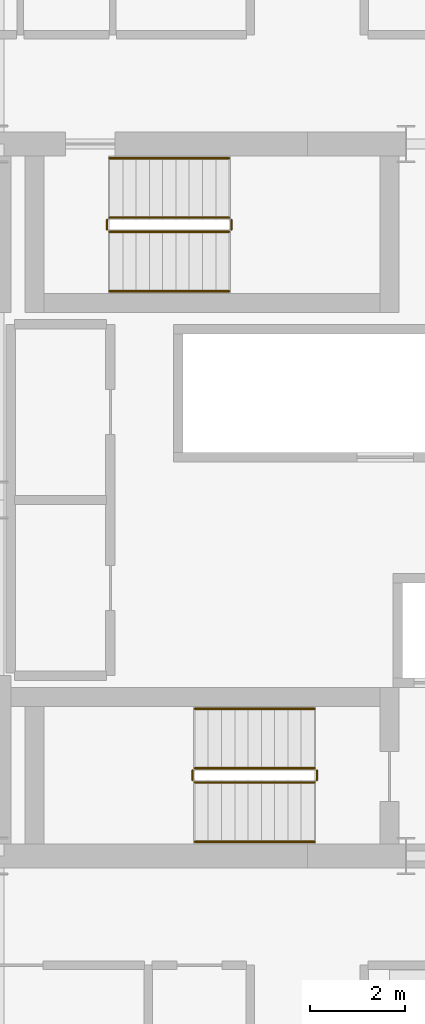
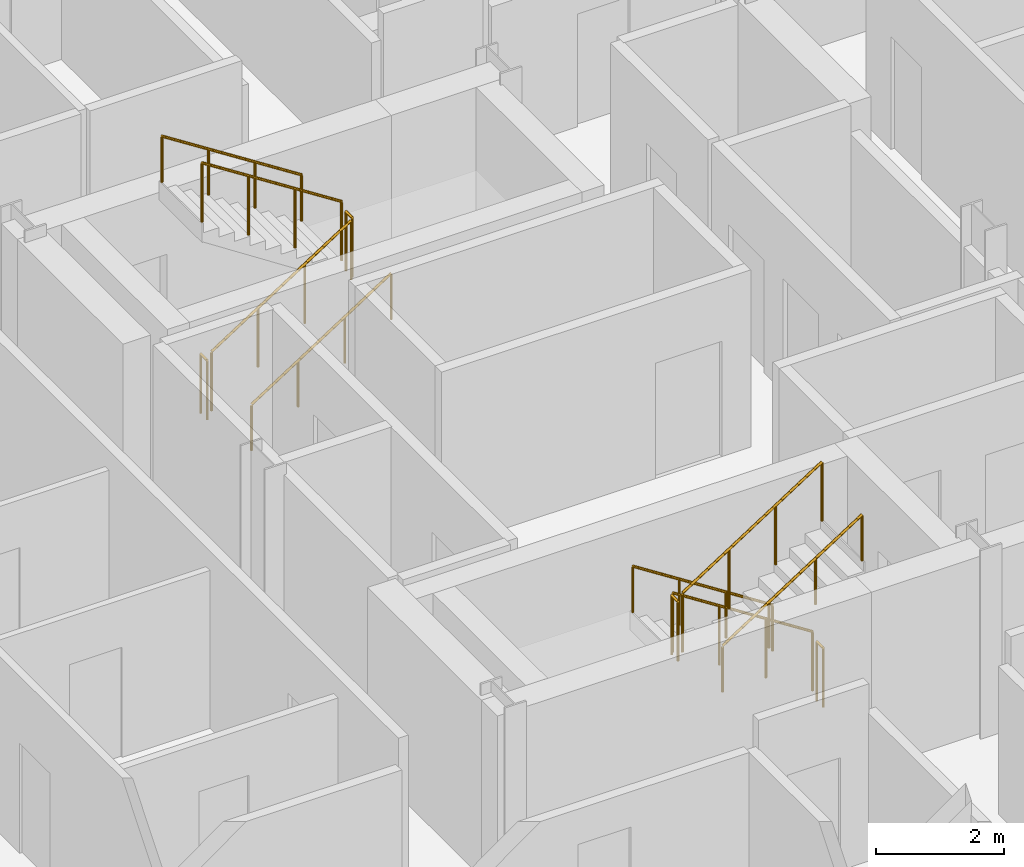
# One storey, part 23 of 24: 12 railings.
"""IFC4 building model written with IfcOpenShell, lengths in metres."""

import ifcopenshell
import ifcopenshell.guid

model = None  # the IFC model being written
_history = None  # IfcOwnerHistory: only IFC2X3 demands one
_inside = {}  # id of a spatial element -> (the spatial element, [elements in it])
_under = {}  # id of a project, library or spatial element -> (it, [spatial elements below it])
_declared = {}  # id of a project -> (the project, [libraries it declares])
_typed = {}  # id of a type object -> (the type object, [elements of that type])
_made_of = {}  # id of a material, layer set ... -> (it, [elements and type objects made of it])


def new_model(schema):
    """Start an empty IFC model of exactly this schema.

    Asked for "IFC4X3", IfcOpenShell would pick the latest addendum, in which some entities
    have other attributes; the version numbers below select the first issue.
    IFC2X3 requires an IfcOwnerHistory on every rooted entity: one is made here for all.
    """
    global model, _history
    if schema == "IFC4X3":
        model = ifcopenshell.file(schema_version=(4, 3, 0, 0))
    else:
        model = ifcopenshell.file(schema=schema)
    _inside.clear()
    _under.clear()
    _declared.clear()
    _typed.clear()
    _made_of.clear()
    _history = None
    if model.schema == "IFC2X3":
        org = make("IfcOrganization", Name="unknown")
        user = make(
            "IfcPersonAndOrganization",
            ThePerson=make("IfcPerson", FamilyName="unknown"),
            TheOrganization=org,
        )
        app = make(
            "IfcApplication",
            ApplicationDeveloper=org,
            Version="unknown",
            ApplicationFullName="unknown",
            ApplicationIdentifier="unknown",
        )
        _history = make(
            "IfcOwnerHistory",
            OwningUser=user,
            OwningApplication=app,
            ChangeAction="ADDED",
            CreationDate=0,
        )
    return model


def make(cls, **values):
    """One entity of the class cls with the attributes given. An attribute that is None is left unset."""
    return model.create_entity(
        cls, **{name: value for name, value in values.items() if value is not None}
    )


def rooted(cls, **values):
    """An entity with a GlobalId (a new one), such as an element, a storey or a relation."""
    return make(cls, GlobalId=ifcopenshell.guid.new(), OwnerHistory=_history, **values)


def si_unit(unit_type, name, prefix=None):
    """IfcSIUnit, for example si_unit("LENGTHUNIT", "METRE", prefix="MILLI")."""
    return make("IfcSIUnit", UnitType=unit_type, Prefix=prefix, Name=name)


def assignment(units):
    """IfcUnitAssignment: the units of a project."""
    return None if units is None else make("IfcUnitAssignment", Units=units)


def point(xyz):
    """IfcCartesianPoint."""
    return None if xyz is None else make("IfcCartesianPoint", Coordinates=xyz)


def direction(xyz):
    """IfcDirection."""
    return None if xyz is None else make("IfcDirection", DirectionRatios=xyz)


def frame(location, z_axis=None, x_axis=None):
    """IfcAxis2Placement3D, a coordinate frame: its origin and axes. An axis left out is left unset."""
    return make(
        "IfcAxis2Placement3D",
        Location=point(location),
        Axis=direction(z_axis),
        RefDirection=direction(x_axis),
    )


def frame_2d(location, x_axis=None):
    """IfcAxis2Placement2D, a coordinate frame in the plane: its origin and x axis."""
    return make(
        "IfcAxis2Placement2D", Location=point(location), RefDirection=direction(x_axis)
    )


def origin():
    """The frame at (0, 0, 0) with its axes left unset."""
    return frame((0.0, 0.0, 0.0))


def origin_2d():
    """The frame at (0, 0) in the plane with its x axis left unset."""
    return frame_2d((0.0, 0.0))


def place(relative_to, where):
    """IfcLocalPlacement: puts the frame where relative to a parent placement (None: the world)."""
    return make(
        "IfcLocalPlacement", PlacementRelTo=relative_to, RelativePlacement=where
    )


def context(
    kind, dimensions, precision=None, world=None, true_north=None, identifier=None
):
    """IfcGeometricRepresentationContext, for example the 3D "Model" context."""
    return make(
        "IfcGeometricRepresentationContext",
        ContextIdentifier=identifier,
        ContextType=kind,
        CoordinateSpaceDimension=dimensions,
        Precision=precision,
        WorldCoordinateSystem=world,
        TrueNorth=true_north,
    )


def subcontext(parent, identifier, kind, view, scale=None):
    """IfcGeometricRepresentationSubContext, for example "Body" below "Model"."""
    return make(
        "IfcGeometricRepresentationSubContext",
        ContextIdentifier=identifier,
        ContextType=kind,
        ParentContext=parent,
        TargetScale=scale,
        TargetView=view,
    )


def project(units=None, contexts=None):
    """IfcProject with its units and contexts."""
    return rooted(
        "IfcProject",
        Name="project",
        RepresentationContexts=contexts,
        UnitsInContext=assignment(units),
    )


def spatial(cls, under=None, at=None, **own):
    """A site, building, storey or space (cls), placed at a placement, below another one or the project."""
    s = rooted(cls, ObjectPlacement=at, **own)
    if under is not None:
        _under.setdefault(under.id(), (under, []))[1].append(s)
    return s


def profile(cls, at=None, kind="AREA", **sizes):
    """A parametric profile (cls). Its sizes go by their IFC names, for example OverallWidth=200.0."""
    return make(cls, ProfileType=kind, Position=at, **sizes)


def circle(**sizes):
    """IfcCircleProfileDef."""
    return profile("IfcCircleProfileDef", **sizes)


def extrude(swept, where, along, depth):
    """IfcExtrudedAreaSolid: the profile swept, set in the frame where, extruded along a direction by depth."""
    return make(
        "IfcExtrudedAreaSolid",
        SweptArea=swept,
        Position=where,
        ExtrudedDirection=direction(along),
        Depth=depth,
    )


def shape(context_of_items, identifier, shape_type, items):
    """IfcShapeRepresentation: the items that make up one representation, for example the "Body"."""
    return make(
        "IfcShapeRepresentation",
        ContextOfItems=context_of_items,
        RepresentationIdentifier=identifier,
        RepresentationType=shape_type,
        Items=items,
    )


def material(Name=None, Category=None):
    """IfcMaterial."""
    return make("IfcMaterial", Name=Name, Category=Category)


def made_of(thing, what):
    """Note that an element or type object is made of a material, layer set ...; save() writes the relation."""
    if what is not None:
        _made_of.setdefault(what.id(), (what, []))[1].append(thing)
    return thing


def type_object(cls, material=None, **own):
    """A type object (cls), such as IfcWallType, which elements share."""
    return made_of(rooted(cls, **own), material)


def element(
    cls,
    number,
    at=None,
    inside=None,
    cuts=None,
    type_object=None,
    material=None,
    context=None,
    identifier="Body",
    shape_type=None,
    held_by="IfcProductDefinitionShape",
    body=None,
    shapes=None,
    **own,
):
    """One element of the class cls, such as IfcWall. Its Tag is "e" and its number.

    at: its placement. inside: the storey or other place that contains it. cuts: it is an
    opening in that element (IfcRelVoidsElement). A single representation is given by context,
    identifier, shape_type and body (its items); several are given by shapes. held_by: the class
    of the entity that holds the representations. save() writes the other relations.
    """
    e = rooted(cls, Tag="e%d" % number, ObjectPlacement=at, **own)
    if body is not None:
        shapes = [shape(context, identifier, shape_type, body)]
    if shapes is not None:
        e.Representation = make(held_by, Representations=shapes)
    if inside is not None:
        _inside.setdefault(inside.id(), (inside, []))[1].append(e)
    if cuts is not None:
        rooted(
            "IfcRelVoidsElement", RelatingBuildingElement=cuts, RelatedOpeningElement=e
        )
    if type_object is not None:
        _typed.setdefault(type_object.id(), (type_object, []))[1].append(e)
    return made_of(e, material)


def aggregate(whole, parts):
    """IfcRelAggregates: a whole, such as a stair, and the parts it consists of."""
    return rooted("IfcRelAggregates", RelatingObject=whole, RelatedObjects=parts)


def save(model, path):
    """Write the relations noted so far, then the file.

    IfcRelAggregates (storeys below a building ...), IfcRelContainedInSpatialStructure (elements
    in a storey), IfcRelDefinesByType, IfcRelAssociatesMaterial and IfcRelDeclares: one each for
    every whole, place, type object, material and project.
    """
    for whole, parts in _under.values():
        aggregate(whole, parts)
    for where, things in _inside.values():
        rooted(
            "IfcRelContainedInSpatialStructure",
            RelatedElements=things,
            RelatingStructure=where,
        )
    for kind, things in _typed.values():
        rooted("IfcRelDefinesByType", RelatedObjects=things, RelatingType=kind)
    for what, things in _made_of.values():
        rooted("IfcRelAssociatesMaterial", RelatedObjects=things, RelatingMaterial=what)
    for by, libraries in _declared.values():
        rooted("IfcRelDeclares", RelatingContext=by, RelatedDefinitions=libraries)
    model.write(path)


model = new_model("IFC4")

# Units and contexts
model_context = context("Model", 3, precision=1e-05, world=origin(), true_north=direction((0.0, 1.0)))
body_context = subcontext(model_context, "Body", "Model", "MODEL_VIEW")
ifc_project = project(units=[si_unit("LENGTHUNIT", "METRE"), si_unit("AREAUNIT", "SQUARE_METRE"), si_unit("VOLUMEUNIT", "CUBIC_METRE"), si_unit("PLANEANGLEUNIT", "RADIAN"), si_unit("MASSUNIT", "GRAM", prefix="KILO")], contexts=[model_context])

# Site, building, storey
site_placement = place(None, origin())
site = spatial("IfcSite", under=ifc_project, at=site_placement, CompositionType="ELEMENT")
building_placement = place(site_placement, origin())
building = spatial("IfcBuilding", under=site, at=building_placement, Name="Barlavira Tower and Art Museum", CompositionType="ELEMENT")
storey_placement = place(building_placement, frame((0.0, 0.0, 183.60009765625)))
storey = spatial("IfcBuildingStorey", under=building, at=storey_placement, Name="L47", CompositionType="ELEMENT", Elevation=183.60009765625)

# Railings
ifc_material = material(Name="Brushed stainless steel", Category="steel")
railing_type_1 = type_object("IfcRailingType", Name="Interior Void and Landing Guard Railing 1150", PredefinedType="GUARDRAIL", material=ifc_material)
railing_1_placement = place(storey_placement, frame((0.14990234375, -5.64990234375, 0.179931640625)))
element("IfcRailing", 1, at=railing_1_placement, inside=storey, type_object=railing_type_1, Name="L47 ST-T1 stair guard 1", PredefinedType="GUARDRAIL", context=body_context, shape_type="SweptSolid", body=[
    extrude(circle(Radius=0.02392578125, at=origin_2d()), frame((0.0, 0.0, 1.1259765625), z_axis=(-0.841199657755, 0.0, 0.540724639528), x_axis=(0.0, -1.0, 0.0)), (0.0, 0.0, 1.0), 2.995849609375),
    extrude(circle(Radius=0.02099609375, at=origin_2d()), origin(), (0.0, 0.0, 1.0), 1.101806640625),
    extrude(circle(Radius=0.02099609375, at=origin_2d()), frame((-0.840087890625, 0.0, 0.5400390625)), (0.0, 0.0, 1.0), 1.101806640625),
    extrude(circle(Radius=0.02099609375, at=origin_2d()), frame((-1.679931640625, 0.0, 1.079833984375)), (0.0, 0.0, 1.0), 1.101806640625),
    extrude(circle(Radius=0.02099609375, at=origin_2d()), frame((-2.52001953125, 0.0, 1.619873046875)), (0.0, 0.0, 1.0), 1.101806640625),
])
railing_2_placement = place(storey_placement, frame((-2.419921875, -5.699951171875, 1.7998046875)))
element("IfcRailing", 2, at=railing_2_placement, inside=storey, type_object=railing_type_1, Name="L47 ST-T1 stair guard 2", PredefinedType="GUARDRAIL", context=body_context, shape_type="SweptSolid", body=[
    extrude(circle(Radius=0.02392578125, at=origin_2d()), frame((0.0, 0.0, 1.1259765625), z_axis=(0.0, -1.0, 0.0), x_axis=(1.0, 0.0, 0.0)), (0.0, 0.0, 1.0), 0.199951171875),
    extrude(circle(Radius=0.02099609375, at=origin_2d()), origin(), (0.0, 0.0, 1.0), 1.101806640625),
    extrude(circle(Radius=0.02099609375, at=origin_2d()), frame((0.0, -0.199951171875, 0.0)), (0.0, 0.0, 1.0), 1.101806640625),
])
railing_3_placement = place(storey_placement, frame((-2.3701171875, -5.949951171875, 1.97998046875)))
element("IfcRailing", 3, at=railing_3_placement, inside=storey, type_object=railing_type_1, Name="L47 ST-T1 stair guard 3", PredefinedType="GUARDRAIL", context=body_context, shape_type="SweptSolid", body=[
    extrude(circle(Radius=0.02392578125, at=origin_2d()), frame((0.0, 0.0, 1.1259765625), z_axis=(0.841199657755, 0.0, 0.540724639528), x_axis=(0.0, 1.0, 0.0)), (0.0, 0.0, 1.0), 2.995849609375),
    extrude(circle(Radius=0.02099609375, at=origin_2d()), origin(), (0.0, 0.0, 1.0), 1.101806640625),
    extrude(circle(Radius=0.02099609375, at=origin_2d()), frame((0.840087890625, 0.0, 0.5400390625)), (0.0, 0.0, 1.0), 1.101806640625),
    extrude(circle(Radius=0.02099609375, at=origin_2d()), frame((1.679931640625, 0.0, 1.079833984375)), (0.0, 0.0, 1.0), 1.101806640625),
    extrude(circle(Radius=0.02099609375, at=origin_2d()), frame((2.52001953125, 0.0, 1.619873046875)), (0.0, 0.0, 1.0), 1.101806640625),
])
railing_4_placement = place(storey_placement, frame((0.199951171875, -5.699951171875, 0.0)))
element("IfcRailing", 4, at=railing_4_placement, inside=storey, type_object=railing_type_1, Name="L47 ST-T1 stair guard 4", PredefinedType="GUARDRAIL", context=body_context, shape_type="SweptSolid", body=[
    extrude(circle(Radius=0.02392578125, at=origin_2d()), frame((0.0, 0.0, 1.1259765625), z_axis=(0.0, -1.0, 0.0), x_axis=(1.0, 0.0, 0.0)), (0.0, 0.0, 1.0), 0.199951171875),
    extrude(circle(Radius=0.02099609375, at=origin_2d()), origin(), (0.0, 0.0, 1.0), 1.101806640625),
    extrude(circle(Radius=0.02099609375, at=origin_2d()), frame((0.0, -0.199951171875, 0.0)), (0.0, 0.0, 1.0), 1.101806640625),
])
railing_5_placement = place(storey_placement, frame((-4.169921875, 5.64990234375, 0.179931640625)))
element("IfcRailing", 5, at=railing_5_placement, inside=storey, type_object=railing_type_1, Name="L47 ST-T2 stair guard 1", PredefinedType="GUARDRAIL", context=body_context, shape_type="SweptSolid", body=[
    extrude(circle(Radius=0.02392578125, at=origin_2d()), frame((0.0, 0.0, 1.1259765625), z_axis=(0.841199657755, 0.0, 0.540724639528), x_axis=(0.0, 1.0, 0.0)), (0.0, 0.0, 1.0), 2.995849609375),
    extrude(circle(Radius=0.02099609375, at=origin_2d()), origin(), (0.0, 0.0, 1.0), 1.101806640625),
    extrude(circle(Radius=0.02099609375, at=origin_2d()), frame((0.840087890625, 0.0, 0.5400390625)), (0.0, 0.0, 1.0), 1.101806640625),
    extrude(circle(Radius=0.02099609375, at=origin_2d()), frame((1.679931640625, 0.0, 1.079833984375)), (0.0, 0.0, 1.0), 1.101806640625),
    extrude(circle(Radius=0.02099609375, at=origin_2d()), frame((2.52001953125, 0.0, 1.619873046875)), (0.0, 0.0, 1.0), 1.101806640625),
])
railing_6_placement = place(storey_placement, frame((-1.60009765625, 5.699951171875, 1.7998046875)))
element("IfcRailing", 6, at=railing_6_placement, inside=storey, type_object=railing_type_1, Name="L47 ST-T2 stair guard 2", PredefinedType="GUARDRAIL", context=body_context, shape_type="SweptSolid", body=[
    extrude(circle(Radius=0.02392578125, at=origin_2d()), frame((0.0, 0.0, 1.1259765625), z_axis=(0.0, 1.0, 0.0), x_axis=(-1.0, 0.0, 0.0)), (0.0, 0.0, 1.0), 0.199951171875),
    extrude(circle(Radius=0.02099609375, at=origin_2d()), origin(), (0.0, 0.0, 1.0), 1.101806640625),
    extrude(circle(Radius=0.02099609375, at=origin_2d()), frame((0.0, 0.199951171875, 0.0)), (0.0, 0.0, 1.0), 1.101806640625),
])
railing_7_placement = place(storey_placement, frame((-1.64990234375, 5.949951171875, 1.97998046875)))
element("IfcRailing", 7, at=railing_7_placement, inside=storey, type_object=railing_type_1, Name="L47 ST-T2 stair guard 3", PredefinedType="GUARDRAIL", context=body_context, shape_type="SweptSolid", body=[
    extrude(circle(Radius=0.02392578125, at=origin_2d()), frame((0.0, 0.0, 1.1259765625), z_axis=(-0.841199657755, 0.0, 0.540724639528), x_axis=(0.0, -1.0, 0.0)), (0.0, 0.0, 1.0), 2.995849609375),
    extrude(circle(Radius=0.02099609375, at=origin_2d()), origin(), (0.0, 0.0, 1.0), 1.101806640625),
    extrude(circle(Radius=0.02099609375, at=origin_2d()), frame((-0.840087890625, 0.0, 0.5400390625)), (0.0, 0.0, 1.0), 1.101806640625),
    extrude(circle(Radius=0.02099609375, at=origin_2d()), frame((-1.679931640625, 0.0, 1.079833984375)), (0.0, 0.0, 1.0), 1.101806640625),
    extrude(circle(Radius=0.02099609375, at=origin_2d()), frame((-2.52001953125, 0.0, 1.619873046875)), (0.0, 0.0, 1.0), 1.101806640625),
])
railing_8_placement = place(storey_placement, frame((-4.219970703125, 5.699951171875, 0.0)))
element("IfcRailing", 8, at=railing_8_placement, inside=storey, type_object=railing_type_1, Name="L47 ST-T2 stair guard 4", PredefinedType="GUARDRAIL", context=body_context, shape_type="SweptSolid", body=[
    extrude(circle(Radius=0.02392578125, at=origin_2d()), frame((0.0, 0.0, 1.1259765625), z_axis=(0.0, 1.0, 0.0), x_axis=(-1.0, 0.0, 0.0)), (0.0, 0.0, 1.0), 0.199951171875),
    extrude(circle(Radius=0.02099609375, at=origin_2d()), origin(), (0.0, 0.0, 1.0), 1.101806640625),
    extrude(circle(Radius=0.02099609375, at=origin_2d()), frame((0.0, 0.199951171875, 0.0)), (0.0, 0.0, 1.0), 1.101806640625),
])
railing_type_2 = type_object("IfcRailingType", Name="Stair Pitch Tubular Steel Handrail 920", PredefinedType="HANDRAIL", material=ifc_material)
railing_9_placement = place(storey_placement, frame((0.14990234375, -4.39990234375, 0.179931640625)))
element("IfcRailing", 9, at=railing_9_placement, inside=storey, type_object=railing_type_2, Name="L47 ST-T1 stair handrail 1", PredefinedType="HANDRAIL", context=body_context, shape_type="SweptSolid", body=[
    extrude(circle(Radius=0.02392578125, at=origin_2d()), frame((0.0, 0.0, 0.8759765625), z_axis=(-0.841199657755, 0.0, 0.540724639528), x_axis=(0.0, -1.0, 0.0)), (0.0, 0.0, 1.0), 2.995849609375),
    extrude(circle(Radius=0.02099609375, at=origin_2d()), origin(), (0.0, 0.0, 1.0), 0.851806640625),
    extrude(circle(Radius=0.02099609375, at=origin_2d()), frame((-0.840087890625, 0.0, 0.5400390625)), (0.0, 0.0, 1.0), 0.851806640625),
    extrude(circle(Radius=0.02099609375, at=origin_2d()), frame((-1.679931640625, 0.0, 1.079833984375)), (0.0, 0.0, 1.0), 0.851806640625),
    extrude(circle(Radius=0.02099609375, at=origin_2d()), frame((-2.52001953125, 0.0, 1.619873046875)), (0.0, 0.0, 1.0), 0.851806640625),
])
for number, where, name in (
    (10, (-2.3701171875, -7.199951171875, 1.97998046875), "L47 ST-T1 stair handrail 2"),
    (11, (-4.169921875, 4.39990234375, 0.179931640625), "L47 ST-T2 stair handrail 1"),
):
    element("IfcRailing", number, at=place(storey_placement, frame(where)), inside=storey, type_object=railing_type_2, Name=name, PredefinedType="HANDRAIL", context=body_context, shape_type="SweptSolid", body=[
        extrude(circle(Radius=0.02392578125, at=origin_2d()), frame((0.0, 0.0, 0.8759765625), z_axis=(0.841199657755, 0.0, 0.540724639528), x_axis=(0.0, 1.0, 0.0)), (0.0, 0.0, 1.0), 2.995849609375),
        extrude(circle(Radius=0.02099609375, at=origin_2d()), origin(), (0.0, 0.0, 1.0), 0.851806640625),
        extrude(circle(Radius=0.02099609375, at=origin_2d()), frame((0.840087890625, 0.0, 0.5400390625)), (0.0, 0.0, 1.0), 0.851806640625),
        extrude(circle(Radius=0.02099609375, at=origin_2d()), frame((1.679931640625, 0.0, 1.079833984375)), (0.0, 0.0, 1.0), 0.851806640625),
        extrude(circle(Radius=0.02099609375, at=origin_2d()), frame((2.52001953125, 0.0, 1.619873046875)), (0.0, 0.0, 1.0), 0.851806640625),
    ])
railing_10_placement = place(storey_placement, frame((-1.64990234375, 7.199951171875, 1.97998046875)))
element("IfcRailing", 12, at=railing_10_placement, inside=storey, type_object=railing_type_2, Name="L47 ST-T2 stair handrail 2", PredefinedType="HANDRAIL", context=body_context, shape_type="SweptSolid", body=[
    extrude(circle(Radius=0.02392578125, at=origin_2d()), frame((0.0, 0.0, 0.8759765625), z_axis=(-0.841199657755, 0.0, 0.540724639528), x_axis=(0.0, -1.0, 0.0)), (0.0, 0.0, 1.0), 2.995849609375),
    extrude(circle(Radius=0.02099609375, at=origin_2d()), origin(), (0.0, 0.0, 1.0), 0.851806640625),
    extrude(circle(Radius=0.02099609375, at=origin_2d()), frame((-0.840087890625, 0.0, 0.5400390625)), (0.0, 0.0, 1.0), 0.851806640625),
    extrude(circle(Radius=0.02099609375, at=origin_2d()), frame((-1.679931640625, 0.0, 1.079833984375)), (0.0, 0.0, 1.0), 0.851806640625),
    extrude(circle(Radius=0.02099609375, at=origin_2d()), frame((-2.52001953125, 0.0, 1.619873046875)), (0.0, 0.0, 1.0), 0.851806640625),
])

save(model, "model.ifc")
